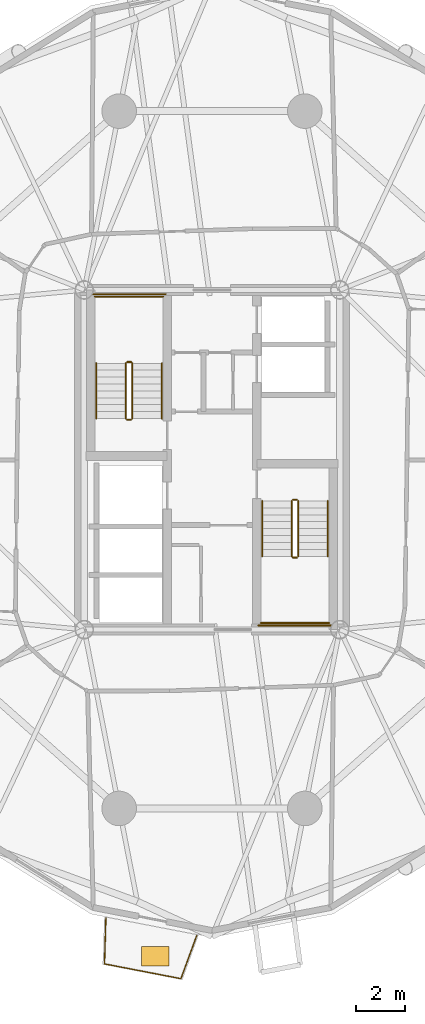
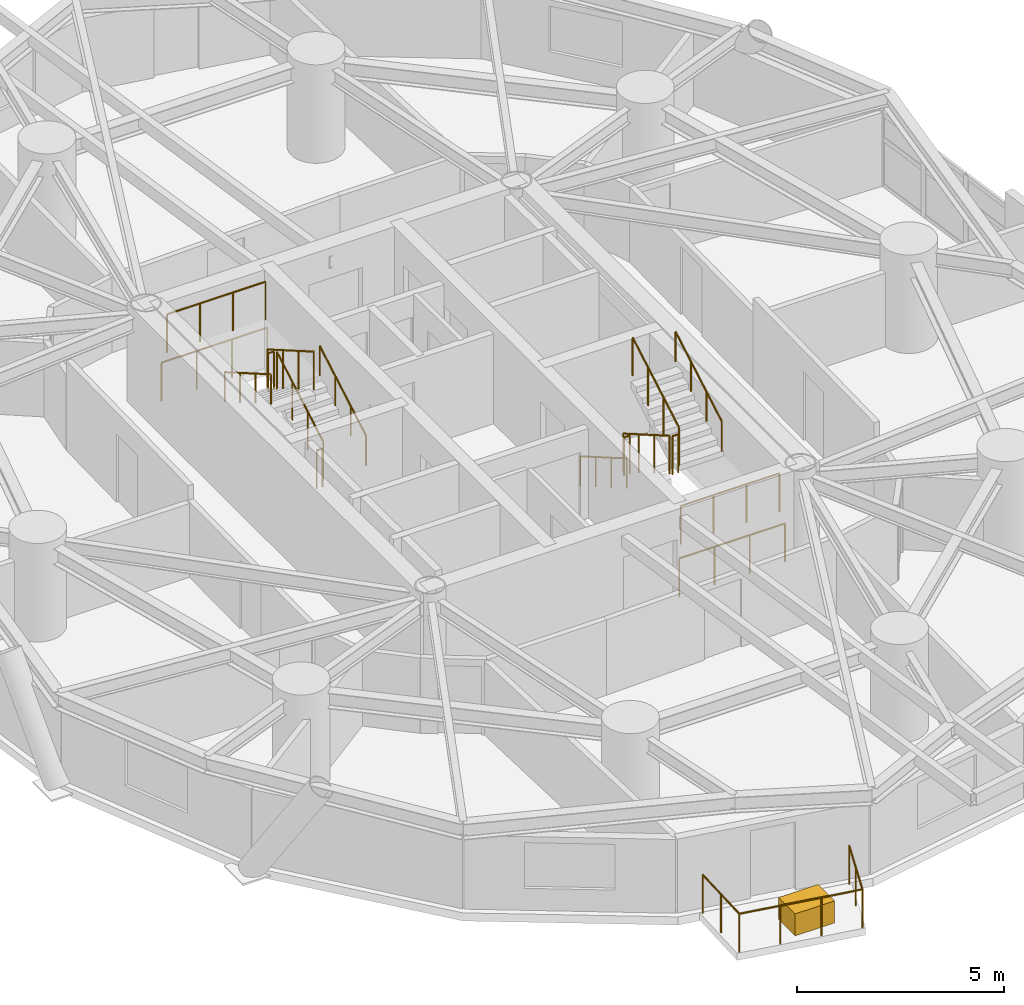
# One storey, part 17 of 19: 17 railings, 1 covering.
"""IFC4 building model written with IfcOpenShell, lengths in metres."""

from ifc_helpers import new_model, si_unit, direction, frame, origin, origin_2d, place, context, subcontext, project, spatial, rectangle, circle, extrude, source, transform, mapped, material, layer, layer_set, type_object, element, save


model = new_model("IFC4")

# Units and contexts
model_context = context("Model", 3, precision=1e-05, world=origin(), true_north=direction((0.0, 1.0)))
body_context = subcontext(model_context, "Body", "Model", "MODEL_VIEW")
ifc_project = project(units=[si_unit("LENGTHUNIT", "METRE"), si_unit("AREAUNIT", "SQUARE_METRE"), si_unit("VOLUMEUNIT", "CUBIC_METRE"), si_unit("PLANEANGLEUNIT", "RADIAN"), si_unit("MASSUNIT", "GRAM", prefix="KILO")], contexts=[model_context])

# Site, building, storey
site_placement = place(None, origin())
site = spatial("IfcSite", under=ifc_project, at=site_placement, CompositionType="ELEMENT")
building_placement = place(site_placement, origin())
building = spatial("IfcBuilding", under=site, at=building_placement, Name="Cununo Teusaquillo Station Towers", CompositionType="ELEMENT")
storey_placement = place(building_placement, frame((0.0, 0.0, 84.699951171875)))
storey = spatial("IfcBuildingStorey", under=building, at=storey_placement, Name="L26", CompositionType="ELEMENT", Elevation=84.699951171875)

# Railings
ifc_material_1 = material(Name="Anodised dark bronze aluminium EN AW-6063-T6", Category="aluminium")
railing_type_1 = type_object("IfcRailingType", Name="RL-EXT-GUARD", PredefinedType="GUARDRAIL", material=ifc_material_1)
railing_1_placement = place(storey_placement, frame((15.8818359375, 5.228271484375, 0.0)))
element("IfcRailing", 1, at=railing_1_placement, inside=storey, type_object=railing_type_1, Name="L26 Tower A Balcony Guardrail C14", PredefinedType="GUARDRAIL", context=body_context, shape_type="SweptSolid", body=[
    extrude(circle(Radius=0.02392578125, at=origin_2d()), frame((0.0, 0.0, 1.1259765625), z_axis=(-0.343962021681, -0.9389835609, 0.0), x_axis=(0.9389835609, -0.343962021681, 0.0)), (0.0, 0.0, 1.0), 1.86328125),
    extrude(circle(Radius=0.02392578125, at=origin_2d()), frame((-0.640869140625, -1.74951171875, 1.1259765625), z_axis=(-0.981834317938, 0.189740275429, 0.0), x_axis=(-0.189740275429, -0.981834317938, 0.0)), (0.0, 0.0, 1.0), 3.15380859375),
    extrude(circle(Radius=0.02392578125, at=origin_2d()), frame((-3.7373046875, -1.151123046875, 1.1259765625), z_axis=(0.030662031384, 0.999529809376, 0.0), x_axis=(-0.999529809376, 0.030662031384, 0.0)), (0.0, 0.0, 1.0), 1.86328125),
    extrude(circle(Radius=0.02099609375, at=origin_2d()), origin(), (0.0, 0.0, 1.0), 1.101806640625),
    extrude(circle(Radius=0.02099609375, at=origin_2d()), frame((-0.3203125, -0.874755859375, 0.0)), (0.0, 0.0, 1.0), 1.101806640625),
    extrude(circle(Radius=0.02099609375, at=origin_2d()), frame((-0.640869140625, -1.74951171875, 0.0)), (0.0, 0.0, 1.0), 1.101806640625),
    extrude(circle(Radius=0.02099609375, at=origin_2d()), frame((-1.673095703125, -1.550048828125, 0.0)), (0.0, 0.0, 1.0), 1.101806640625),
    extrude(circle(Radius=0.02099609375, at=origin_2d()), frame((-2.705078125, -1.3505859375, 0.0)), (0.0, 0.0, 1.0), 1.101806640625),
    extrude(circle(Radius=0.02099609375, at=origin_2d()), frame((-3.7373046875, -1.151123046875, 0.0)), (0.0, 0.0, 1.0), 1.101806640625),
    extrude(circle(Radius=0.02099609375, at=origin_2d()), frame((-3.708740234375, -0.219970703125, 0.0)), (0.0, 0.0, 1.0), 1.101806640625),
    extrude(circle(Radius=0.02099609375, at=origin_2d()), frame((-3.68017578125, 0.711181640625, 0.0)), (0.0, 0.0, 1.0), 1.101806640625),
])
ifc_material_2 = material(Name="Steel EN 10025-2 S355J2", Category="steel")
railing_type_2 = type_object("IfcRailingType", Name="RL-INT-GUARD", PredefinedType="GUARDRAIL", material=ifc_material_2)
railing_2_placement = place(storey_placement, frame((13.27001953125, 26.169921875, 0.16162109375)))
element("IfcRailing", 2, at=railing_2_placement, inside=storey, type_object=railing_type_2, Name="L26 ST-T1-1 stair guard 1", PredefinedType="GUARDRAIL", context=body_context, shape_type="SweptSolid", body=[
    extrude(circle(Radius=0.02392578125, at=origin_2d()), frame((0.0, 0.0, 1.1259765625), z_axis=(0.0, 0.865992244559, 0.500057429065), x_axis=(-1.0, 0.0, 0.0)), (0.0, 0.0, 1.0), 2.586669921875),
    extrude(circle(Radius=0.02099609375, at=origin_2d()), origin(), (0.0, 0.0, 1.0), 1.101806640625),
    extrude(circle(Radius=0.02099609375, at=origin_2d()), frame((0.0, 0.74658203125, 0.43115234375)), (0.0, 0.0, 1.0), 1.101806640625),
    extrude(circle(Radius=0.02099609375, at=origin_2d()), frame((0.0, 1.493408203125, 0.8623046875)), (0.0, 0.0, 1.0), 1.101806640625),
    extrude(circle(Radius=0.02099609375, at=origin_2d()), frame((0.0, 2.239990234375, 1.29345703125)), (0.0, 0.0, 1.0), 1.101806640625),
])
railing_3_placement = place(storey_placement, frame((13.219970703125, 28.4599609375, 1.455078125)))
element("IfcRailing", 3, at=railing_3_placement, inside=storey, type_object=railing_type_2, Name="L26 ST-T1-1 stair guard 2", PredefinedType="GUARDRAIL", context=body_context, shape_type="SweptSolid", body=[
    extrude(circle(Radius=0.02392578125, at=origin_2d()), frame((0.0, 0.0, 1.1259765625), z_axis=(-1.0, 0.0, 0.0), x_axis=(0.0, -1.0, 0.0)), (0.0, 0.0, 1.0), 0.159912109375),
    extrude(circle(Radius=0.02099609375, at=origin_2d()), origin(), (0.0, 0.0, 1.0), 1.101806640625),
    extrude(circle(Radius=0.02099609375, at=origin_2d()), frame((-0.159912109375, 0.0, 0.0)), (0.0, 0.0, 1.0), 1.101806640625),
])
railing_4_placement = place(storey_placement, frame((14.52001953125, 31.110107421875, 1.455078125)))
element("IfcRailing", 4, at=railing_4_placement, inside=storey, type_object=railing_type_2, Name="L26 ST-T1-1 stair guard 3", PredefinedType="GUARDRAIL", context=body_context, shape_type="SweptSolid", body=[
    extrude(circle(Radius=0.02392578125, at=origin_2d()), frame((0.0, 0.0, 1.1259765625), z_axis=(-1.0, 0.0, 0.0), x_axis=(0.0, -1.0, 0.0)), (0.0, 0.0, 1.0), 2.760009765625),
    extrude(circle(Radius=0.02099609375, at=origin_2d()), origin(), (0.0, 0.0, 1.0), 1.101806640625),
    extrude(circle(Radius=0.02099609375, at=origin_2d()), frame((-0.919921875, 0.0, 0.0)), (0.0, 0.0, 1.0), 1.101806640625),
    extrude(circle(Radius=0.02099609375, at=origin_2d()), frame((-1.840087890625, 0.0, 0.0)), (0.0, 0.0, 1.0), 1.101806640625),
    extrude(circle(Radius=0.02099609375, at=origin_2d()), frame((-2.760009765625, 0.0, 0.0)), (0.0, 0.0, 1.0), 1.101806640625),
])
railing_5_placement = place(storey_placement, frame((13.010009765625, 28.409912109375, 1.61669921875)))
element("IfcRailing", 5, at=railing_5_placement, inside=storey, type_object=railing_type_2, Name="L26 ST-T1-1 stair guard 4", PredefinedType="GUARDRAIL", context=body_context, shape_type="SweptSolid", body=[
    extrude(circle(Radius=0.02392578125, at=origin_2d()), frame((0.0, 0.0, 1.1259765625), z_axis=(0.0, -0.865992244559, 0.500057429065), x_axis=(1.0, 0.0, 0.0)), (0.0, 0.0, 1.0), 2.586669921875),
    extrude(circle(Radius=0.02099609375, at=origin_2d()), origin(), (0.0, 0.0, 1.0), 1.101806640625),
    extrude(circle(Radius=0.02099609375, at=origin_2d()), frame((0.0, -0.74658203125, 0.43115234375)), (0.0, 0.0, 1.0), 1.101806640625),
    extrude(circle(Radius=0.02099609375, at=origin_2d()), frame((0.0, -1.493408203125, 0.8623046875)), (0.0, 0.0, 1.0), 1.101806640625),
    extrude(circle(Radius=0.02099609375, at=origin_2d()), frame((0.0, -2.239990234375, 1.29345703125)), (0.0, 0.0, 1.0), 1.101806640625),
])
railing_6_placement = place(storey_placement, frame((13.219970703125, 26.1201171875, 0.0)))
element("IfcRailing", 6, at=railing_6_placement, inside=storey, type_object=railing_type_2, Name="L26 ST-T1-1 stair guard 5", PredefinedType="GUARDRAIL", context=body_context, shape_type="SweptSolid", body=[
    extrude(circle(Radius=0.02392578125, at=origin_2d()), frame((0.0, 0.0, 1.1259765625), z_axis=(-1.0, 0.0, 0.0), x_axis=(0.0, -1.0, 0.0)), (0.0, 0.0, 1.0), 0.159912109375),
    extrude(circle(Radius=0.02099609375, at=origin_2d()), origin(), (0.0, 0.0, 1.0), 1.101806640625),
    extrude(circle(Radius=0.02099609375, at=origin_2d()), frame((-0.159912109375, 0.0, 0.0)), (0.0, 0.0, 1.0), 1.101806640625),
])
railing_7_placement = place(storey_placement, frame((14.6201171875, 31.2099609375, 0.0)))
element("IfcRailing", 7, at=railing_7_placement, inside=storey, type_object=railing_type_2, Name="L26 ST-T1-1 stair guard 6", PredefinedType="GUARDRAIL", context=body_context, shape_type="SweptSolid", body=[
    extrude(circle(Radius=0.02392578125, at=origin_2d()), frame((0.0, 0.0, 1.1259765625), z_axis=(-1.0, 0.0, 0.0), x_axis=(0.0, -1.0, 0.0)), (0.0, 0.0, 1.0), 2.960205078125),
    extrude(circle(Radius=0.02099609375, at=origin_2d()), origin(), (0.0, 0.0, 1.0), 1.101806640625),
    extrude(circle(Radius=0.02099609375, at=origin_2d()), frame((-0.98681640625, 0.0, 0.0)), (0.0, 0.0, 1.0), 1.101806640625),
    extrude(circle(Radius=0.02099609375, at=origin_2d()), frame((-1.973388671875, 0.0, 0.0)), (0.0, 0.0, 1.0), 1.101806640625),
    extrude(circle(Radius=0.02099609375, at=origin_2d()), frame((-2.960205078125, 0.0, 0.0)), (0.0, 0.0, 1.0), 1.101806640625),
])
railing_8_placement = place(storey_placement, frame((19.72998046875, 22.830078125, 0.16162109375)))
element("IfcRailing", 8, at=railing_8_placement, inside=storey, type_object=railing_type_2, Name="L26 ST-T1-2 stair guard 1", PredefinedType="GUARDRAIL", context=body_context, shape_type="SweptSolid", body=[
    extrude(circle(Radius=0.02392578125, at=origin_2d()), frame((0.0, 0.0, 1.1259765625), z_axis=(0.0, -0.865992244559, 0.500057429065), x_axis=(1.0, 0.0, 0.0)), (0.0, 0.0, 1.0), 2.586669921875),
    extrude(circle(Radius=0.02099609375, at=origin_2d()), origin(), (0.0, 0.0, 1.0), 1.101806640625),
    extrude(circle(Radius=0.02099609375, at=origin_2d()), frame((0.0, -0.74658203125, 0.43115234375)), (0.0, 0.0, 1.0), 1.101806640625),
    extrude(circle(Radius=0.02099609375, at=origin_2d()), frame((0.0, -1.493408203125, 0.8623046875)), (0.0, 0.0, 1.0), 1.101806640625),
    extrude(circle(Radius=0.02099609375, at=origin_2d()), frame((0.0, -2.239990234375, 1.29345703125)), (0.0, 0.0, 1.0), 1.101806640625),
])
railing_9_placement = place(storey_placement, frame((19.780029296875, 20.5400390625, 1.455078125)))
element("IfcRailing", 9, at=railing_9_placement, inside=storey, type_object=railing_type_2, Name="L26 ST-T1-2 stair guard 2", PredefinedType="GUARDRAIL", context=body_context, shape_type="SweptSolid", body=[
    extrude(circle(Radius=0.02392578125, at=origin_2d()), frame((0.0, 0.0, 1.1259765625), z_axis=(1.0, 0.0, 0.0), x_axis=(0.0, 1.0, 0.0)), (0.0, 0.0, 1.0), 0.159912109375),
    extrude(circle(Radius=0.02099609375, at=origin_2d()), origin(), (0.0, 0.0, 1.0), 1.101806640625),
    extrude(circle(Radius=0.02099609375, at=origin_2d()), frame((0.159912109375, 0.0, 0.0)), (0.0, 0.0, 1.0), 1.101806640625),
])
railing_10_placement = place(storey_placement, frame((18.47998046875, 17.889892578125, 1.455078125)))
element("IfcRailing", 10, at=railing_10_placement, inside=storey, type_object=railing_type_2, Name="L26 ST-T1-2 stair guard 3", PredefinedType="GUARDRAIL", context=body_context, shape_type="SweptSolid", body=[
    extrude(circle(Radius=0.02392578125, at=origin_2d()), frame((0.0, 0.0, 1.1259765625), z_axis=(1.0, 0.0, 0.0), x_axis=(0.0, 1.0, 0.0)), (0.0, 0.0, 1.0), 2.760009765625),
    extrude(circle(Radius=0.02099609375, at=origin_2d()), origin(), (0.0, 0.0, 1.0), 1.101806640625),
    extrude(circle(Radius=0.02099609375, at=origin_2d()), frame((0.919921875, 0.0, 0.0)), (0.0, 0.0, 1.0), 1.101806640625),
    extrude(circle(Radius=0.02099609375, at=origin_2d()), frame((1.840087890625, 0.0, 0.0)), (0.0, 0.0, 1.0), 1.101806640625),
    extrude(circle(Radius=0.02099609375, at=origin_2d()), frame((2.760009765625, 0.0, 0.0)), (0.0, 0.0, 1.0), 1.101806640625),
])
railing_11_placement = place(storey_placement, frame((19.989990234375, 20.590087890625, 1.61669921875)))
element("IfcRailing", 11, at=railing_11_placement, inside=storey, type_object=railing_type_2, Name="L26 ST-T1-2 stair guard 4", PredefinedType="GUARDRAIL", context=body_context, shape_type="SweptSolid", body=[
    extrude(circle(Radius=0.02392578125, at=origin_2d()), frame((0.0, 0.0, 1.1259765625), z_axis=(0.0, 0.865992244559, 0.500057429065), x_axis=(-1.0, 0.0, 0.0)), (0.0, 0.0, 1.0), 2.586669921875),
    extrude(circle(Radius=0.02099609375, at=origin_2d()), origin(), (0.0, 0.0, 1.0), 1.101806640625),
    extrude(circle(Radius=0.02099609375, at=origin_2d()), frame((0.0, 0.74658203125, 0.43115234375)), (0.0, 0.0, 1.0), 1.101806640625),
    extrude(circle(Radius=0.02099609375, at=origin_2d()), frame((0.0, 1.493408203125, 0.8623046875)), (0.0, 0.0, 1.0), 1.101806640625),
    extrude(circle(Radius=0.02099609375, at=origin_2d()), frame((0.0, 2.239990234375, 1.29345703125)), (0.0, 0.0, 1.0), 1.101806640625),
])
railing_12_placement = place(storey_placement, frame((19.780029296875, 22.8798828125, 0.0)))
element("IfcRailing", 12, at=railing_12_placement, inside=storey, type_object=railing_type_2, Name="L26 ST-T1-2 stair guard 5", PredefinedType="GUARDRAIL", context=body_context, shape_type="SweptSolid", body=[
    extrude(circle(Radius=0.02392578125, at=origin_2d()), frame((0.0, 0.0, 1.1259765625), z_axis=(1.0, 0.0, 0.0), x_axis=(0.0, 1.0, 0.0)), (0.0, 0.0, 1.0), 0.159912109375),
    extrude(circle(Radius=0.02099609375, at=origin_2d()), origin(), (0.0, 0.0, 1.0), 1.101806640625),
    extrude(circle(Radius=0.02099609375, at=origin_2d()), frame((0.159912109375, 0.0, 0.0)), (0.0, 0.0, 1.0), 1.101806640625),
])
railing_13_placement = place(storey_placement, frame((18.3798828125, 17.7900390625, 0.0)))
element("IfcRailing", 13, at=railing_13_placement, inside=storey, type_object=railing_type_2, Name="L26 ST-T1-2 stair guard 6", PredefinedType="GUARDRAIL", context=body_context, shape_type="SweptSolid", body=[
    extrude(circle(Radius=0.02392578125, at=origin_2d()), frame((0.0, 0.0, 1.1259765625), z_axis=(1.0, 0.0, 0.0), x_axis=(0.0, 1.0, 0.0)), (0.0, 0.0, 1.0), 2.960205078125),
    extrude(circle(Radius=0.02099609375, at=origin_2d()), origin(), (0.0, 0.0, 1.0), 1.101806640625),
    extrude(circle(Radius=0.02099609375, at=origin_2d()), frame((0.98681640625, 0.0, 0.0)), (0.0, 0.0, 1.0), 1.101806640625),
    extrude(circle(Radius=0.02099609375, at=origin_2d()), frame((1.973388671875, 0.0, 0.0)), (0.0, 0.0, 1.0), 1.101806640625),
    extrude(circle(Radius=0.02099609375, at=origin_2d()), frame((2.960205078125, 0.0, 0.0)), (0.0, 0.0, 1.0), 1.101806640625),
])
ifc_material_3 = material(Name="Steel EN 10025-2 S355J2", Category="steel")
railing_type_3 = type_object("IfcRailingType", Name="RL-INT-HRAIL", PredefinedType="HANDRAIL", material=ifc_material_3)
railing_14_placement = place(storey_placement, frame((14.469970703125, 26.169921875, 0.16162109375)))
element("IfcRailing", 14, at=railing_14_placement, inside=storey, type_object=railing_type_3, Name="L26 ST-T1-1 stair handrail 1", PredefinedType="HANDRAIL", context=body_context, shape_type="SweptSolid", body=[
    extrude(circle(Radius=0.02392578125, at=origin_2d()), frame((0.0, 0.0, 0.8759765625), z_axis=(0.0, 0.865992244559, 0.500057429065), x_axis=(-1.0, 0.0, 0.0)), (0.0, 0.0, 1.0), 2.586669921875),
    extrude(circle(Radius=0.02099609375, at=origin_2d()), origin(), (0.0, 0.0, 1.0), 0.851806640625),
    extrude(circle(Radius=0.02099609375, at=origin_2d()), frame((0.0, 0.74658203125, 0.43115234375)), (0.0, 0.0, 1.0), 0.851806640625),
    extrude(circle(Radius=0.02099609375, at=origin_2d()), frame((0.0, 1.493408203125, 0.8623046875)), (0.0, 0.0, 1.0), 0.851806640625),
    extrude(circle(Radius=0.02099609375, at=origin_2d()), frame((0.0, 2.239990234375, 1.29345703125)), (0.0, 0.0, 1.0), 0.851806640625),
])
for number, where, name in (
    (15, (11.81005859375, 28.409912109375, 1.61669921875), "L26 ST-T1-1 stair handrail 2"),
    (16, (18.530029296875, 22.830078125, 0.16162109375), "L26 ST-T1-2 stair handrail 1"),
):
    element("IfcRailing", number, at=place(storey_placement, frame(where)), inside=storey, type_object=railing_type_3, Name=name, PredefinedType="HANDRAIL", context=body_context, shape_type="SweptSolid", body=[
        extrude(circle(Radius=0.02392578125, at=origin_2d()), frame((0.0, 0.0, 0.8759765625), z_axis=(0.0, -0.865992244559, 0.500057429065), x_axis=(1.0, 0.0, 0.0)), (0.0, 0.0, 1.0), 2.586669921875),
        extrude(circle(Radius=0.02099609375, at=origin_2d()), origin(), (0.0, 0.0, 1.0), 0.851806640625),
        extrude(circle(Radius=0.02099609375, at=origin_2d()), frame((0.0, -0.74658203125, 0.43115234375)), (0.0, 0.0, 1.0), 0.851806640625),
        extrude(circle(Radius=0.02099609375, at=origin_2d()), frame((0.0, -1.493408203125, 0.8623046875)), (0.0, 0.0, 1.0), 0.851806640625),
        extrude(circle(Radius=0.02099609375, at=origin_2d()), frame((0.0, -2.239990234375, 1.29345703125)), (0.0, 0.0, 1.0), 0.851806640625),
    ])
railing_15_placement = place(storey_placement, frame((21.18994140625, 20.590087890625, 1.61669921875)))
element("IfcRailing", 17, at=railing_15_placement, inside=storey, type_object=railing_type_3, Name="L26 ST-T1-2 stair handrail 2", PredefinedType="HANDRAIL", context=body_context, shape_type="SweptSolid", body=[
    extrude(circle(Radius=0.02392578125, at=origin_2d()), frame((0.0, 0.0, 0.8759765625), z_axis=(0.0, 0.865992244559, 0.500057429065), x_axis=(-1.0, 0.0, 0.0)), (0.0, 0.0, 1.0), 2.586669921875),
    extrude(circle(Radius=0.02099609375, at=origin_2d()), origin(), (0.0, 0.0, 1.0), 0.851806640625),
    extrude(circle(Radius=0.02099609375, at=origin_2d()), frame((0.0, 0.74658203125, 0.43115234375)), (0.0, 0.0, 1.0), 0.851806640625),
    extrude(circle(Radius=0.02099609375, at=origin_2d()), frame((0.0, 1.493408203125, 0.8623046875)), (0.0, 0.0, 1.0), 0.851806640625),
    extrude(circle(Radius=0.02099609375, at=origin_2d()), frame((0.0, 2.239990234375, 1.29345703125)), (0.0, 0.0, 1.0), 0.851806640625),
])

# Covering
ifc_material_4 = material(Name="Architectural GRC planter shell and engineered root-zone substrate", Category="concrete")
ifc_layer = layer(ifc_material_4, 0.64990234375)
ifc_layer_set = layer_set([ifc_layer], Name="Architectural GRC planter shell and engineered root-zone substrate")
covering_type = type_object("IfcCoveringType", Name="COV-TREE-PLANTER", PredefinedType="CLADDING", material=ifc_layer_set)
shared_shape = source(origin(), body_context, "Body", "SweptSolid", [
    extrude(rectangle(XDim=1.10009765625, YDim=0.800048828125, at=origin_2d()), origin(), (0.0, 0.0, 1.0), 0.64990234375),
])
covering_placement = place(storey_placement, frame((14.2021484375, 4.385498046875, 0.0), z_axis=(0.0, 0.0, 1.0), x_axis=(1.0, 0.0, 0.0)))
element("IfcCovering", 18, at=covering_placement, inside=storey, type_object=covering_type, Name="L26 Tower A Balcony Tree PLANTER C14", PredefinedType="CLADDING", context=body_context, shape_type="MappedRepresentation", body=[
    mapped(shared_shape, transform((0.0, 0.0, 0.0), x_axis=(1.0, 0.0, 0.0), y_axis=(0.0, 1.0, 0.0), z_axis=(0.0, 0.0, 1.0), scale=1.0)),
])

save(model, "model.ifc")
